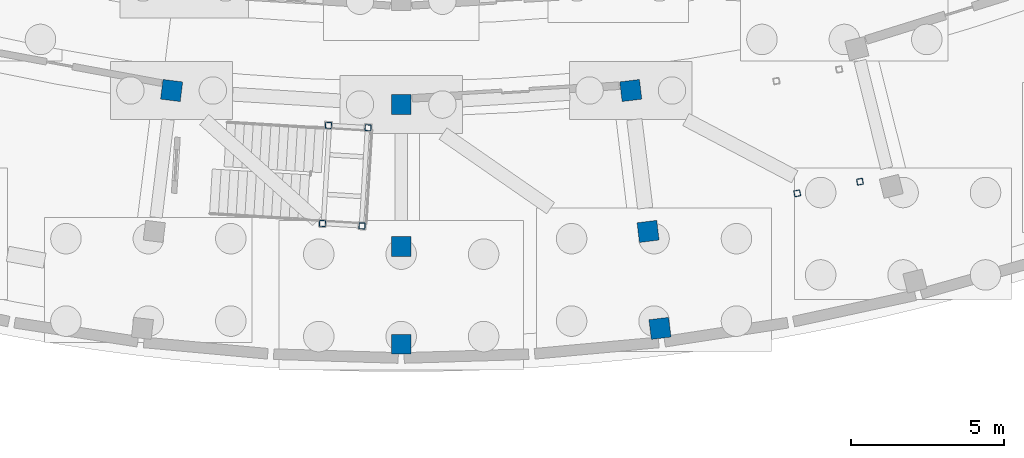
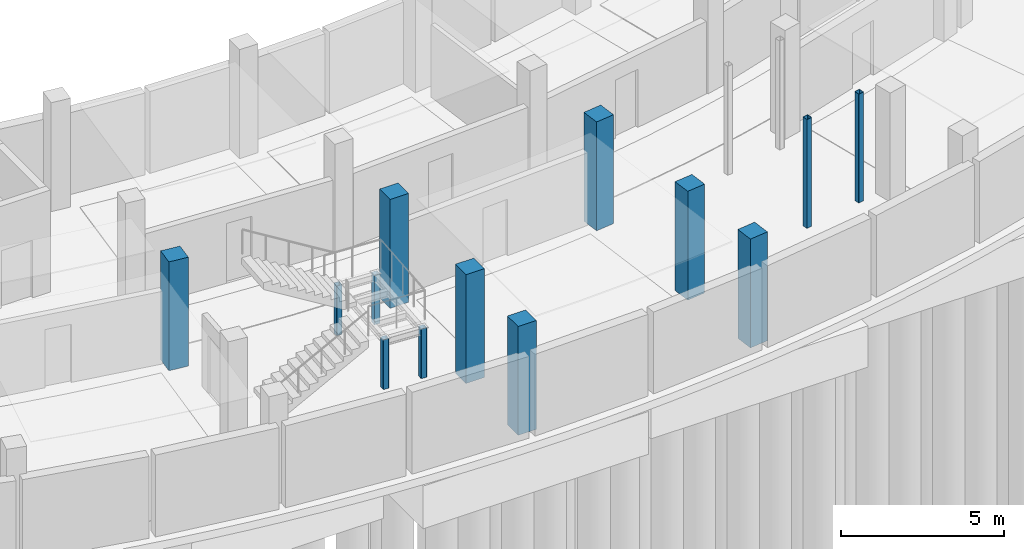
# One storey, part 16 of 58: 13 columns.
"""IFC4 building model written with IfcOpenShell, lengths in metres."""

from ifc_helpers import new_model, si_unit, direction, frame, origin, origin_2d, place, context, subcontext, project, spatial, rectangle, hollow_rectangle, extrude, material, material_profile, profile_set, type_object, element, save


model = new_model("IFC4")

# Units and contexts
model_context = context("Model", 3, precision=1e-05, world=origin(), true_north=direction((0.0, 1.0)))
body_context = subcontext(model_context, "Body", "Model", "MODEL_VIEW")
ifc_project = project(units=[si_unit("LENGTHUNIT", "METRE"), si_unit("AREAUNIT", "SQUARE_METRE"), si_unit("VOLUMEUNIT", "CUBIC_METRE"), si_unit("PLANEANGLEUNIT", "RADIAN"), si_unit("MASSUNIT", "GRAM", prefix="KILO")], contexts=[model_context])

# Site, building, storey
site_placement = place(None, origin())
site = spatial("IfcSite", under=ifc_project, at=site_placement, CompositionType="ELEMENT")
building_placement = place(site_placement, origin())
building = spatial("IfcBuilding", under=site, at=building_placement, Name="Caldaven Crescent School", CompositionType="ELEMENT")
storey_placement = place(building_placement, frame((0.0, 0.0, -4.080078125)))
storey = spatial("IfcBuildingStorey", under=building, at=storey_placement, Name="B1", CompositionType="ELEMENT", Elevation=-4.080078125)

# Columns
ifc_material_1 = material(Name="Steel ASTM A572 Grade 50", Category="steel")
ifc_material_profile_1 = material_profile(ifc_material_1, hollow_rectangle(XDim=0.199951171875, YDim=0.199951171875, WallThickness=0.010009765625, InnerFilletRadius=0.010009765625, OuterFilletRadius=0.02001953125, at=origin_2d()), Name="HSS 200x200x10")
ifc_profile_set_1 = profile_set([ifc_material_profile_1], Name="Steel ASTM A572 Grade 50")
column_type_1 = type_object("IfcColumnType", Name="COL-HS20", PredefinedType="COLUMN", material=ifc_profile_set_1)
for number, where, z_axis, x_axis, name in (
    (1, (85.420654296875, 30.405029296875, 0.0), (0.0, 0.0, 1.0), (0.998134798422, -0.061048539535, 0.0), "COL-STPOST-STB3-B1-A"),
    (2, (85.6171875, 33.619140625, 0.0), (0.0, 0.0, 1.0), (0.998134798422, -0.061048539535, 0.0), "COL-STPOST-STB3-B1-B"),
    (3, (86.71826171875, 30.32568359375, 0.0), (0.0, 0.0, 1.0), (0.998134798422, -0.061048539535, 0.0), "COL-STPOST-STB3-B1-C"),
    (4, (86.914794921875, 33.539794921875, 0.0), (0.0, 0.0, 1.0), (0.998134798422, -0.061048539535, 0.0), "COL-STPOST-STB3-B1-D"),
):
    element("IfcColumn", number, at=place(storey_placement, frame(where, z_axis=z_axis, x_axis=x_axis)), inside=storey, type_object=column_type_1, Name=name, PredefinedType="COLUMN", context=body_context, shape_type="SweptSolid", body=[
        extrude(hollow_rectangle(XDim=0.199951171875, YDim=0.199951171875, WallThickness=0.010009765625, InnerFilletRadius=0.010009765625, OuterFilletRadius=0.02001953125, at=origin_2d()), origin(), (0.0, 0.0, 1.0), 1.860107421875),
    ])
for number, where, z_axis, x_axis, name in (
    (5, (100.97119140625, 31.391845703125, 0.0), (0.0, 0.0, 1.0), (0.983254907564, 0.182235525492, 0.0), "COL-STPOST-ST3-B1-A"),
    (6, (103.026123046875, 31.772705078125, 0.0), (0.0, 0.0, 1.0), (0.983254907564, 0.182235525492, 0.0), "COL-STPOST-ST3-B1-C"),
):
    element("IfcColumn", number, at=place(storey_placement, frame(where, z_axis=z_axis, x_axis=x_axis)), inside=storey, type_object=column_type_1, Name=name, PredefinedType="COLUMN", context=body_context, shape_type="SweptSolid", body=[
        extrude(hollow_rectangle(XDim=0.199951171875, YDim=0.199951171875, WallThickness=0.010009765625, InnerFilletRadius=0.010009765625, OuterFilletRadius=0.02001953125, at=origin_2d()), origin(), (0.0, 0.0, 1.0), 4.080078125),
    ])
ifc_material_2 = material(Name="Concrete C35/45", Category="concrete")
ifc_material_profile_2 = material_profile(ifc_material_2, rectangle(XDim=0.64990234375, YDim=0.64990234375, at=origin_2d()), Name="RC 650x650")
ifc_profile_set_2 = profile_set([ifc_material_profile_2], Name="Concrete C35/45")
column_type_2 = type_object("IfcColumnType", Name="COL-RC65", PredefinedType="COLUMN", material=ifc_profile_set_2)
for number, where, z_axis, x_axis, name in (
    (7, (80.480712890625, 34.760009765625, 0.0), (0.0, 0.0, 1.0), (-0.121869343405, -0.992546151641, 0.0), "COL-V5-B1-02-2"),
    (8, (88.0, 34.300048828125, 0.0), (0.0, 0.0, 1.0), (0.0, -1.0, 0.0), "COL-V5-B1-03-2"),
    (9, (88.0, 29.64990234375, 0.0), (0.0, 0.0, 1.0), (0.0, -1.0, 0.0), "COL-V5-B1-03-3"),
    (10, (88.0, 26.449951171875, 0.0), (0.0, 0.0, 1.0), (0.0, -1.0, 0.0), "COL-V5-B1-03-4"),
    (11, (95.519287109375, 34.760009765625, 0.0), (0.0, 0.0, 1.0), (0.121869343405, -0.992546151641, 0.0), "COL-V5-B1-04-2"),
    (12, (96.0859375, 30.14453125, 0.0), (0.0, 0.0, 1.0), (0.121869343405, -0.992546151641, 0.0), "COL-V5-B1-04-3"),
    (13, (96.47607421875, 26.968505859375, 0.0), (0.0, 0.0, 1.0), (0.121869343405, -0.992546151641, 0.0), "COL-V5-B1-04-4"),
):
    element("IfcColumn", number, at=place(storey_placement, frame(where, z_axis=z_axis, x_axis=x_axis)), inside=storey, type_object=column_type_2, Name=name, PredefinedType="COLUMN", context=body_context, shape_type="SweptSolid", body=[
        extrude(rectangle(XDim=0.64990234375, YDim=0.64990234375, at=origin_2d()), origin(), (0.0, 0.0, 1.0), 4.080078125),
    ])

save(model, "model.ifc")
